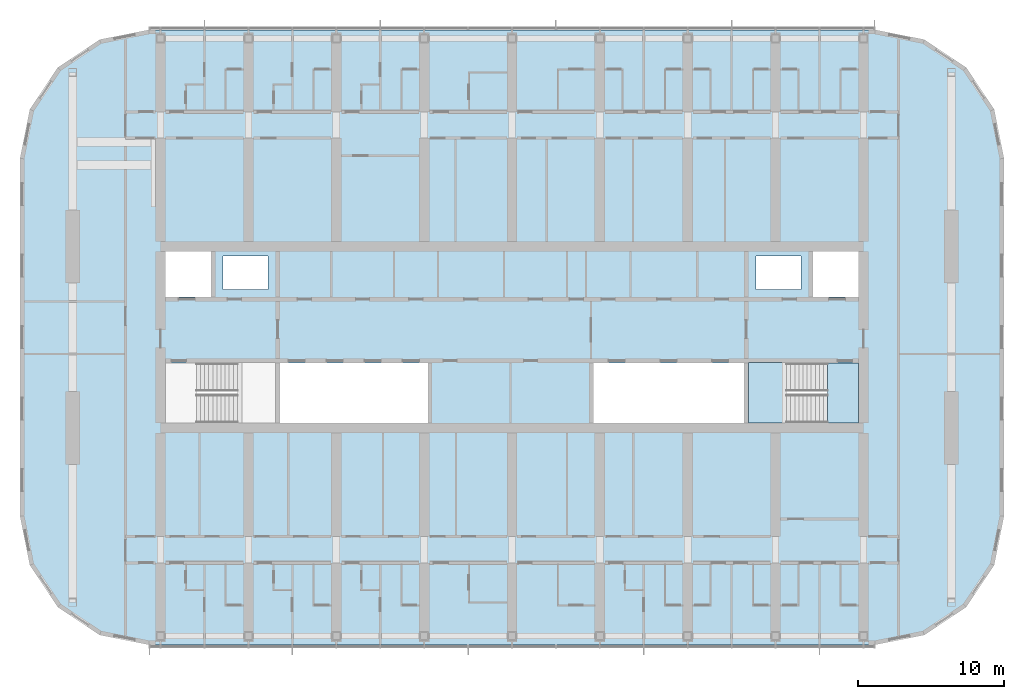
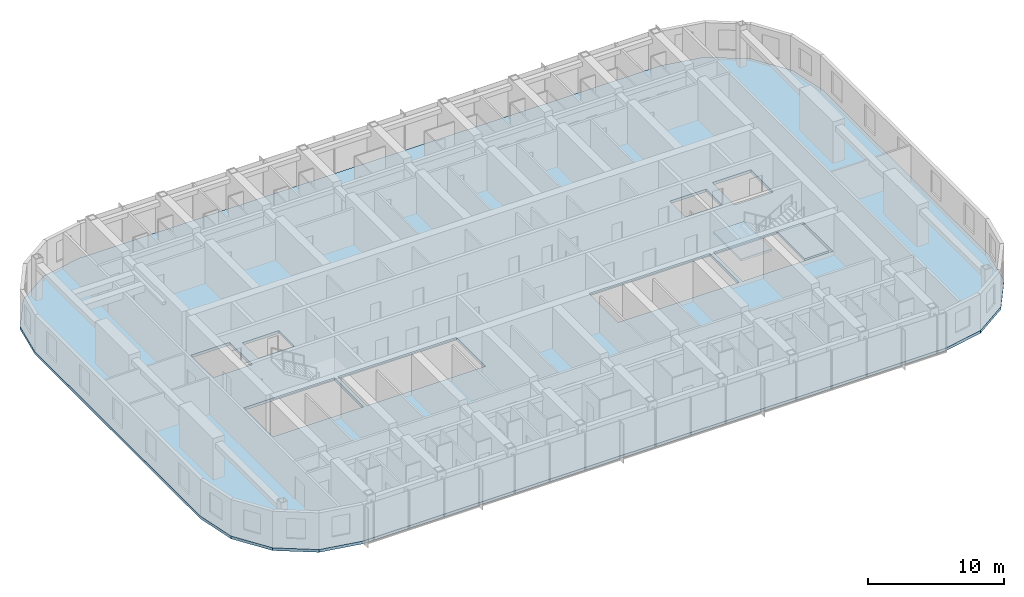
# One storey, part 8 of 24: 3 slabs, 1 element without a shape of its own.
"""IFC4 building model written with IfcOpenShell, lengths in metres."""

from ifc_helpers import new_model, si_unit, direction, frame, origin, place, context, subcontext, project, spatial, polyline, outline, extrude, material, layer, layer_set, type_object, element, aggregate, save


model = new_model("IFC4")

# Units and contexts
model_context = context("Model", 3, precision=1e-05, world=origin(), true_north=direction((0.0, 1.0)))
body_context = subcontext(model_context, "Body", "Model", "MODEL_VIEW")
ifc_project = project(units=[si_unit("LENGTHUNIT", "METRE"), si_unit("AREAUNIT", "SQUARE_METRE"), si_unit("VOLUMEUNIT", "CUBIC_METRE"), si_unit("PLANEANGLEUNIT", "RADIAN"), si_unit("MASSUNIT", "GRAM", prefix="KILO")], contexts=[model_context])

# Site, building, storey
site_placement = place(None, origin())
site = spatial("IfcSite", under=ifc_project, at=site_placement, CompositionType="ELEMENT")
building_placement = place(site_placement, origin())
building = spatial("IfcBuilding", under=site, at=building_placement, Name="Orbita Commons", CompositionType="ELEMENT")
storey_placement = place(building_placement, frame((0.0, 0.0, 242.800048828125)))
storey = spatial("IfcBuildingStorey", under=building, at=storey_placement, Name="L60", CompositionType="ELEMENT", Elevation=242.800048828125)

# Slab
ifc_material_1 = material(Name="Concrete C40/50", Category="concrete")
ifc_layer_1 = layer(ifc_material_1, 0.25)
ifc_layer_set_1 = layer_set([ifc_layer_1], Name="Concrete C40/50")
slab_type_1 = type_object("IfcSlabType", Name="Floor slab 250", PredefinedType="FLOOR", material=ifc_layer_set_1)
slab_1_placement = place(storey_placement, frame((0.0, 0.0, -0.25)))
element("IfcSlab", 1, at=slab_1_placement, inside=storey, type_object=slab_type_1, Name="Floor slab L60", PredefinedType="FLOOR", context=body_context, shape_type="SweptSolid", body=[
    extrude(outline(polyline([(66.800048828125, 11.0), (70.167724609375, 11.669921875), (73.0224609375, 13.577392578125), (74.93017578125, 16.432373046875), (75.60009765625, 19.800048828125), (75.60009765625, 44.199951171875), (74.93017578125, 47.567626953125), (73.0224609375, 50.422607421875), (70.167724609375, 52.330078125), (66.800048828125, 53.0), (17.199951171875, 53.0), (13.832275390625, 52.330078125), (10.9775390625, 50.422607421875), (9.06982421875, 47.567626953125), (8.39990234375, 44.199951171875), (8.39990234375, 19.800048828125), (9.06982421875, 16.432373046875), (10.9775390625, 13.577392578125), (13.832275390625, 11.669921875), (17.199951171875, 11.0), (66.800048828125, 11.0)]), holes=[polyline([(18.14990234375, 25.949951171875), (25.85009765625, 25.949951171875), (25.85009765625, 30.25), (18.14990234375, 30.25), (18.14990234375, 25.949951171875)]), polyline([(58.14990234375, 25.949951171875), (65.85009765625, 25.949951171875), (65.85009765625, 30.25), (58.14990234375, 30.25), (58.14990234375, 25.949951171875)]), polyline([(18.14990234375, 34.75), (21.449951171875, 34.75), (21.449951171875, 38.050048828125), (18.14990234375, 38.050048828125), (18.14990234375, 34.75)]), polyline([(62.550048828125, 34.75), (65.85009765625, 34.75), (65.85009765625, 38.050048828125), (62.550048828125, 38.050048828125), (62.550048828125, 34.75)]), polyline([(22.25, 35.25), (25.35009765625, 35.25), (25.35009765625, 37.550048828125), (22.25, 37.550048828125), (22.25, 35.25)]), polyline([(58.64990234375, 35.25), (61.75, 35.25), (61.75, 37.550048828125), (58.64990234375, 37.550048828125), (58.64990234375, 35.25)]), polyline([(26.14990234375, 25.949951171875), (36.25, 25.949951171875), (36.25, 30.25), (26.14990234375, 30.25), (26.14990234375, 25.949951171875)]), polyline([(47.550048828125, 25.949951171875), (57.85009765625, 25.949951171875), (57.85009765625, 30.25), (47.550048828125, 30.25), (47.550048828125, 25.949951171875)])]), origin(), (0.0, 0.0, 1.0), 0.25),
])

# Stair, slabs
ifc_material_2 = material(Name="Precast concrete C40/50", Category="concrete")
stair_type = type_object("IfcStairType", Name="Exit stair S2 2 flights 11 risers 170", PredefinedType="HALF_TURN_STAIR", material=ifc_material_2)
stair_placement = place(storey_placement, origin())
stair = element("IfcStair", 2, at=stair_placement, inside=storey, type_object=stair_type, Name="Exit stair S2 L60", PredefinedType="HALF_TURN_STAIR")
ifc_material_3 = material(Name="Concrete C40/50", Category="concrete")
ifc_layer_2 = layer(ifc_material_3, 0.199951171875)
ifc_layer_set_2 = layer_set([ifc_layer_2], Name="Concrete C40/50")
slab_type_2 = type_object("IfcSlabType", Name="Stair landing 200", PredefinedType="LANDING", material=ifc_layer_set_2)
slab_2_placement = place(storey_placement, frame((0.0, 0.0, -0.199951171875)))
slab_2 = element("IfcSlab", 3, at=slab_2_placement, type_object=slab_type_2, Name="S2 landing 1", PredefinedType="LANDING", context=body_context, shape_type="SweptSolid", body=[
    extrude(outline(polyline([(63.550048828125, 26.14990234375), (65.64990234375, 26.14990234375), (65.64990234375, 30.25), (63.550048828125, 30.25), (63.550048828125, 26.14990234375)])), origin(), (0.0, 0.0, 1.0), 0.199951171875),
])
slab_3_placement = place(storey_placement, frame((0.0, 0.0, 1.675048828125)))
slab_3 = element("IfcSlab", 4, at=slab_3_placement, type_object=slab_type_2, Name="S2 landing 2", PredefinedType="LANDING", context=body_context, shape_type="SweptSolid", body=[
    extrude(outline(polyline([(58.135009765625, 26.135009765625), (60.75, 26.135009765625), (60.75, 30.264892578125), (58.135009765625, 30.264892578125), (58.135009765625, 26.135009765625)])), origin(), (0.0, 0.0, 1.0), 0.199951171875),
])
aggregate(stair, [slab_2, slab_3])

save(model, "model.ifc")
